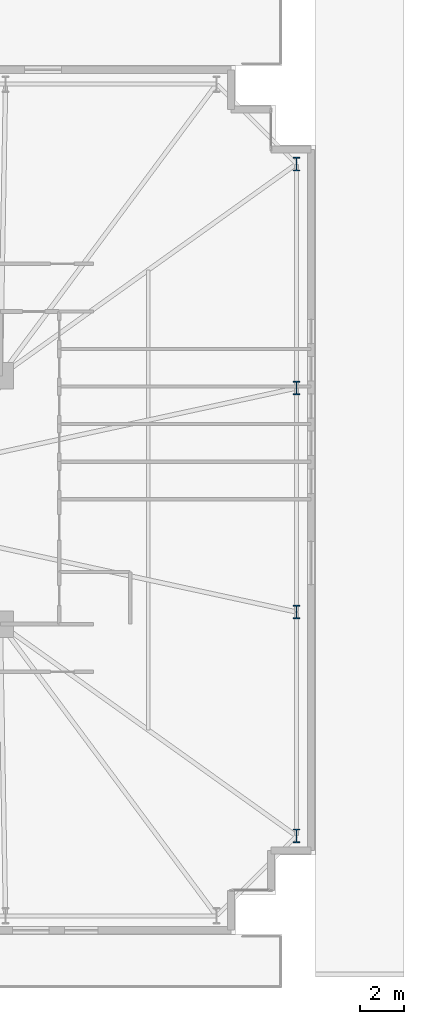
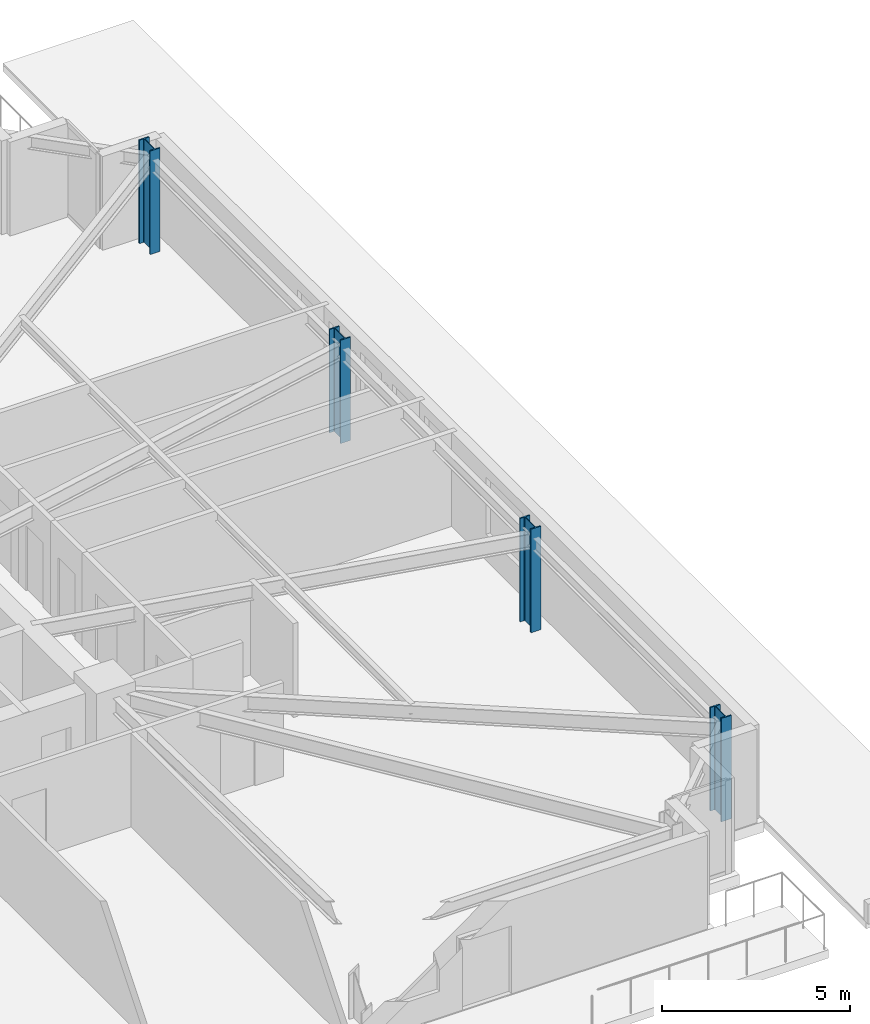
# One storey, part 3 of 21: 4 columns.
"""IFC4 building model written with IfcOpenShell, lengths in metres."""

import ifcopenshell
import ifcopenshell.guid

model = None  # the IFC model being written
_history = None  # IfcOwnerHistory: only IFC2X3 demands one
_inside = {}  # id of a spatial element -> (the spatial element, [elements in it])
_under = {}  # id of a project, library or spatial element -> (it, [spatial elements below it])
_declared = {}  # id of a project -> (the project, [libraries it declares])
_typed = {}  # id of a type object -> (the type object, [elements of that type])
_made_of = {}  # id of a material, layer set ... -> (it, [elements and type objects made of it])


def new_model(schema):
    """Start an empty IFC model of exactly this schema.

    Asked for "IFC4X3", IfcOpenShell would pick the latest addendum, in which some entities
    have other attributes; the version numbers below select the first issue.
    IFC2X3 requires an IfcOwnerHistory on every rooted entity: one is made here for all.
    """
    global model, _history
    if schema == "IFC4X3":
        model = ifcopenshell.file(schema_version=(4, 3, 0, 0))
    else:
        model = ifcopenshell.file(schema=schema)
    _inside.clear()
    _under.clear()
    _declared.clear()
    _typed.clear()
    _made_of.clear()
    _history = None
    if model.schema == "IFC2X3":
        org = make("IfcOrganization", Name="unknown")
        user = make(
            "IfcPersonAndOrganization",
            ThePerson=make("IfcPerson", FamilyName="unknown"),
            TheOrganization=org,
        )
        app = make(
            "IfcApplication",
            ApplicationDeveloper=org,
            Version="unknown",
            ApplicationFullName="unknown",
            ApplicationIdentifier="unknown",
        )
        _history = make(
            "IfcOwnerHistory",
            OwningUser=user,
            OwningApplication=app,
            ChangeAction="ADDED",
            CreationDate=0,
        )
    return model


def make(cls, **values):
    """One entity of the class cls with the attributes given. An attribute that is None is left unset."""
    return model.create_entity(
        cls, **{name: value for name, value in values.items() if value is not None}
    )


def rooted(cls, **values):
    """An entity with a GlobalId (a new one), such as an element, a storey or a relation."""
    return make(cls, GlobalId=ifcopenshell.guid.new(), OwnerHistory=_history, **values)


def si_unit(unit_type, name, prefix=None):
    """IfcSIUnit, for example si_unit("LENGTHUNIT", "METRE", prefix="MILLI")."""
    return make("IfcSIUnit", UnitType=unit_type, Prefix=prefix, Name=name)


def assignment(units):
    """IfcUnitAssignment: the units of a project."""
    return None if units is None else make("IfcUnitAssignment", Units=units)


def point(xyz):
    """IfcCartesianPoint."""
    return None if xyz is None else make("IfcCartesianPoint", Coordinates=xyz)


def direction(xyz):
    """IfcDirection."""
    return None if xyz is None else make("IfcDirection", DirectionRatios=xyz)


def frame(location, z_axis=None, x_axis=None):
    """IfcAxis2Placement3D, a coordinate frame: its origin and axes. An axis left out is left unset."""
    return make(
        "IfcAxis2Placement3D",
        Location=point(location),
        Axis=direction(z_axis),
        RefDirection=direction(x_axis),
    )


def frame_2d(location, x_axis=None):
    """IfcAxis2Placement2D, a coordinate frame in the plane: its origin and x axis."""
    return make(
        "IfcAxis2Placement2D", Location=point(location), RefDirection=direction(x_axis)
    )


def origin():
    """The frame at (0, 0, 0) with its axes left unset."""
    return frame((0.0, 0.0, 0.0))


def origin_2d():
    """The frame at (0, 0) in the plane with its x axis left unset."""
    return frame_2d((0.0, 0.0))


def place(relative_to, where):
    """IfcLocalPlacement: puts the frame where relative to a parent placement (None: the world)."""
    return make(
        "IfcLocalPlacement", PlacementRelTo=relative_to, RelativePlacement=where
    )


def context(
    kind, dimensions, precision=None, world=None, true_north=None, identifier=None
):
    """IfcGeometricRepresentationContext, for example the 3D "Model" context."""
    return make(
        "IfcGeometricRepresentationContext",
        ContextIdentifier=identifier,
        ContextType=kind,
        CoordinateSpaceDimension=dimensions,
        Precision=precision,
        WorldCoordinateSystem=world,
        TrueNorth=true_north,
    )


def subcontext(parent, identifier, kind, view, scale=None):
    """IfcGeometricRepresentationSubContext, for example "Body" below "Model"."""
    return make(
        "IfcGeometricRepresentationSubContext",
        ContextIdentifier=identifier,
        ContextType=kind,
        ParentContext=parent,
        TargetScale=scale,
        TargetView=view,
    )


def project(units=None, contexts=None):
    """IfcProject with its units and contexts."""
    return rooted(
        "IfcProject",
        Name="project",
        RepresentationContexts=contexts,
        UnitsInContext=assignment(units),
    )


def spatial(cls, under=None, at=None, **own):
    """A site, building, storey or space (cls), placed at a placement, below another one or the project."""
    s = rooted(cls, ObjectPlacement=at, **own)
    if under is not None:
        _under.setdefault(under.id(), (under, []))[1].append(s)
    return s


def profile(cls, at=None, kind="AREA", **sizes):
    """A parametric profile (cls). Its sizes go by their IFC names, for example OverallWidth=200.0."""
    return make(cls, ProfileType=kind, Position=at, **sizes)


def i_section(**sizes):
    """IfcIShapeProfileDef."""
    return profile("IfcIShapeProfileDef", **sizes)


def extrude(swept, where, along, depth):
    """IfcExtrudedAreaSolid: the profile swept, set in the frame where, extruded along a direction by depth."""
    return make(
        "IfcExtrudedAreaSolid",
        SweptArea=swept,
        Position=where,
        ExtrudedDirection=direction(along),
        Depth=depth,
    )


def shape(context_of_items, identifier, shape_type, items):
    """IfcShapeRepresentation: the items that make up one representation, for example the "Body"."""
    return make(
        "IfcShapeRepresentation",
        ContextOfItems=context_of_items,
        RepresentationIdentifier=identifier,
        RepresentationType=shape_type,
        Items=items,
    )


def material(Name=None, Category=None):
    """IfcMaterial."""
    return make("IfcMaterial", Name=Name, Category=Category)


def material_profile(
    of_material, cross_section, Name=None, Category=None, Priority=None
):
    """IfcMaterialProfile: a cross section and its material."""
    return make(
        "IfcMaterialProfile",
        Name=Name,
        Material=of_material,
        Profile=cross_section,
        Priority=Priority,
        Category=Category,
    )


def profile_set(profiles, Name=None, composite=None):
    """IfcMaterialProfileSet."""
    return make(
        "IfcMaterialProfileSet",
        Name=Name,
        MaterialProfiles=profiles,
        CompositeProfile=composite,
    )


def made_of(thing, what):
    """Note that an element or type object is made of a material, layer set ...; save() writes the relation."""
    if what is not None:
        _made_of.setdefault(what.id(), (what, []))[1].append(thing)
    return thing


def type_object(cls, material=None, **own):
    """A type object (cls), such as IfcWallType, which elements share."""
    return made_of(rooted(cls, **own), material)


def element(
    cls,
    number,
    at=None,
    inside=None,
    cuts=None,
    type_object=None,
    material=None,
    context=None,
    identifier="Body",
    shape_type=None,
    held_by="IfcProductDefinitionShape",
    body=None,
    shapes=None,
    **own,
):
    """One element of the class cls, such as IfcWall. Its Tag is "e" and its number.

    at: its placement. inside: the storey or other place that contains it. cuts: it is an
    opening in that element (IfcRelVoidsElement). A single representation is given by context,
    identifier, shape_type and body (its items); several are given by shapes. held_by: the class
    of the entity that holds the representations. save() writes the other relations.
    """
    e = rooted(cls, Tag="e%d" % number, ObjectPlacement=at, **own)
    if body is not None:
        shapes = [shape(context, identifier, shape_type, body)]
    if shapes is not None:
        e.Representation = make(held_by, Representations=shapes)
    if inside is not None:
        _inside.setdefault(inside.id(), (inside, []))[1].append(e)
    if cuts is not None:
        rooted(
            "IfcRelVoidsElement", RelatingBuildingElement=cuts, RelatedOpeningElement=e
        )
    if type_object is not None:
        _typed.setdefault(type_object.id(), (type_object, []))[1].append(e)
    return made_of(e, material)


def aggregate(whole, parts):
    """IfcRelAggregates: a whole, such as a stair, and the parts it consists of."""
    return rooted("IfcRelAggregates", RelatingObject=whole, RelatedObjects=parts)


def save(model, path):
    """Write the relations noted so far, then the file.

    IfcRelAggregates (storeys below a building ...), IfcRelContainedInSpatialStructure (elements
    in a storey), IfcRelDefinesByType, IfcRelAssociatesMaterial and IfcRelDeclares: one each for
    every whole, place, type object, material and project.
    """
    for whole, parts in _under.values():
        aggregate(whole, parts)
    for where, things in _inside.values():
        rooted(
            "IfcRelContainedInSpatialStructure",
            RelatedElements=things,
            RelatingStructure=where,
        )
    for kind, things in _typed.values():
        rooted("IfcRelDefinesByType", RelatedObjects=things, RelatingType=kind)
    for what, things in _made_of.values():
        rooted("IfcRelAssociatesMaterial", RelatedObjects=things, RelatingMaterial=what)
    for by, libraries in _declared.values():
        rooted("IfcRelDeclares", RelatingContext=by, RelatedDefinitions=libraries)
    model.write(path)


model = new_model("IFC4")

# Units and contexts
model_context = context("Model", 3, precision=1e-05, world=origin(), true_north=direction((0.0, 1.0)))
body_context = subcontext(model_context, "Body", "Model", "MODEL_VIEW")
ifc_project = project(units=[si_unit("LENGTHUNIT", "METRE"), si_unit("AREAUNIT", "SQUARE_METRE"), si_unit("VOLUMEUNIT", "CUBIC_METRE"), si_unit("PLANEANGLEUNIT", "RADIAN"), si_unit("MASSUNIT", "GRAM", prefix="KILO")], contexts=[model_context])

# Site, building, storey
site_placement = place(None, origin())
site = spatial("IfcSite", under=ifc_project, at=site_placement, CompositionType="ELEMENT")
building_placement = place(site_placement, origin())
building = spatial("IfcBuilding", under=site, at=building_placement, Name="Qobustan Lattice House", CompositionType="ELEMENT")
storey_placement = place(building_placement, frame((0.0, 0.0, 27.0)))
storey = spatial("IfcBuildingStorey", under=building, at=storey_placement, Name="L06", CompositionType="ELEMENT", Elevation=27.0)

# Columns
ifc_material = material(Name="Steel S460", Category="steel")
ifc_material_profile = material_profile(ifc_material, i_section(OverallWidth=0.304931640625, OverallDepth=0.6201171875, WebThickness=0.02099609375, FlangeThickness=0.0400390625, FilletRadius=0.027099609375, at=origin_2d()), Name="HEM600")
ifc_profile_set = profile_set([ifc_material_profile], Name="Steel S460")
column_type = type_object("IfcColumnType", Name="COL-ST-HEM600", PredefinedType="COLUMN", material=ifc_profile_set)
for number, where, z_axis, x_axis, name in (
    (1, (32.14990234375, -15.14990234375, 0.0), (0.0, 0.0, 1.0), (1.0, 0.0, 0.0), "L06 B1 perimeter column E1"),
    (2, (32.14990234375, -5.050048828125, 0.0), (0.0, 0.0, 1.0), (1.0, 0.0, 0.0), "L06 B1 perimeter column E2"),
    (3, (32.14990234375, 5.050048828125, 0.0), (0.0, 0.0, 1.0), (1.0, 0.0, 0.0), "L06 B1 perimeter column E3"),
    (4, (32.14990234375, 15.14990234375, 0.0), (0.0, 0.0, 1.0), (1.0, 0.0, 0.0), "L06 B1 perimeter column E4"),
):
    element("IfcColumn", number, at=place(storey_placement, frame(where, z_axis=z_axis, x_axis=x_axis)), inside=storey, type_object=column_type, Name=name, PredefinedType="COLUMN", context=body_context, shape_type="SweptSolid", body=[
        extrude(i_section(OverallWidth=0.304931640625, OverallDepth=0.6201171875, WebThickness=0.02099609375, FlangeThickness=0.0400390625, FilletRadius=0.027099609375, at=origin_2d()), origin(), (0.0, 0.0, 1.0), 3.35009765625),
    ])

save(model, "model.ifc")
